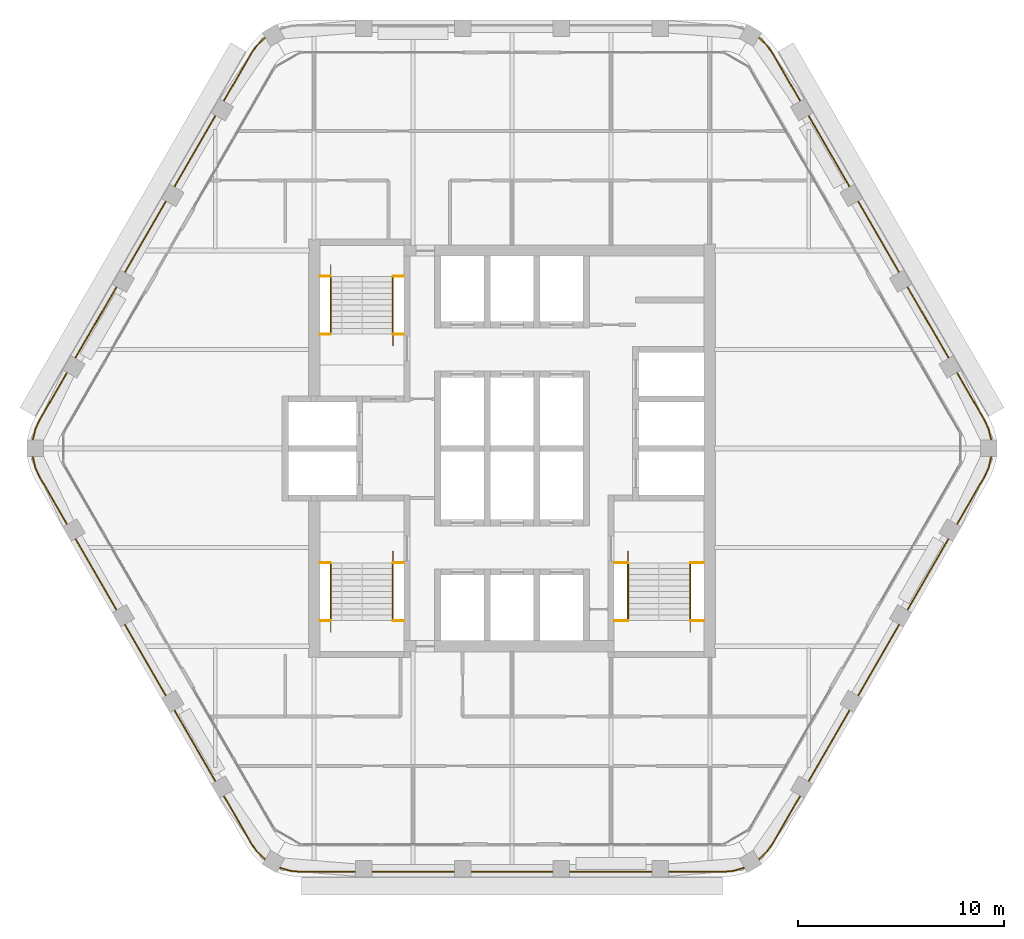
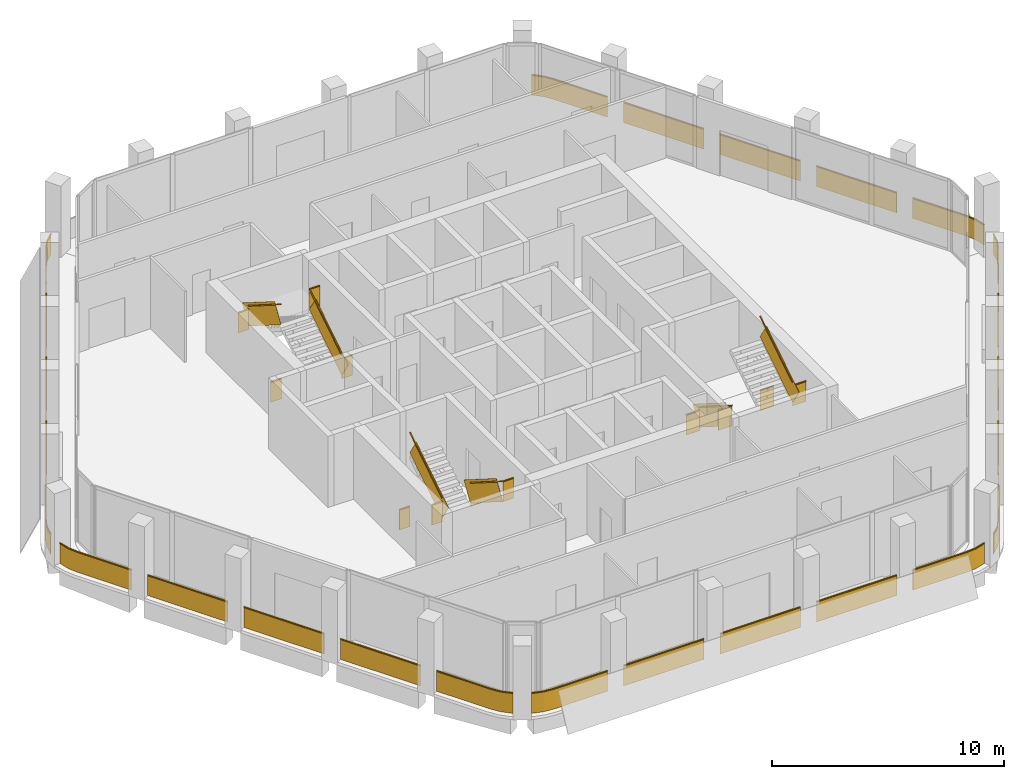
# One storey, part 12 of 13: 11 railings.
"""IFC4 building model written with IfcOpenShell, lengths in metres."""

from ifc_helpers import new_model, si_unit, direction, frame, frame_2d, origin, origin_2d, place, context, subcontext, project, spatial, rectangle, extrude, material, type_object, element, save


model = new_model("IFC4")

# Units and contexts
model_context = context("Model", 3, precision=1e-05, world=origin(), true_north=direction((0.0, 1.0)))
body_context = subcontext(model_context, "Body", "Model", "MODEL_VIEW")
ifc_project = project(units=[si_unit("LENGTHUNIT", "METRE"), si_unit("AREAUNIT", "SQUARE_METRE"), si_unit("VOLUMEUNIT", "CUBIC_METRE"), si_unit("PLANEANGLEUNIT", "RADIAN"), si_unit("MASSUNIT", "GRAM", prefix="KILO")], contexts=[model_context])

# Site, building, storey
site_placement = place(None, origin())
site = spatial("IfcSite", under=ifc_project, at=site_placement, CompositionType="ELEMENT")
building_placement = place(site_placement, origin())
building = spatial("IfcBuilding", under=site, at=building_placement, Name="Kolab Exchange Tower", CompositionType="ELEMENT")
storey_placement = place(building_placement, frame((0.0, 0.0, 289.10009765625)))
storey = spatial("IfcBuildingStorey", under=building, at=storey_placement, Name="L65", CompositionType="ELEMENT", Elevation=289.10009765625)

# Railings
ifc_material_1 = material(Name="Stainless steel 316", Category="steel")
railing_type_1 = type_object("IfcRailingType", Name="GUARD 1100", PredefinedType="GUARDRAIL", material=ifc_material_1)
railing_1_placement = place(storey_placement, frame((-9.324951171875, 5.550048828125, 0.0)))
element("IfcRailing", 1, at=railing_1_placement, inside=storey, type_object=railing_type_1, Name="Guard ST1", PredefinedType="GUARDRAIL", context=body_context, shape_type="SweptSolid", body=[
    extrude(rectangle(XDim=0.05, YDim=0.05, at=origin_2d()), frame((0.0, 0.0, 1.0751953125), z_axis=(1.0, 0.0, 0.0), x_axis=(0.0, 1.0, 0.0)), (0.0, 0.0, 1.0), 0.52734375),
    extrude(rectangle(XDim=0.012, YDim=1.05009765625, at=frame_2d((0.0, 0.525146484375))), frame((0.0, 0.0, 0.0), z_axis=(1.0, 0.0, 0.0), x_axis=(0.0, 1.0, 0.0)), (0.0, 0.0, 1.0), 0.52734375),
    extrude(rectangle(XDim=0.05, YDim=0.05, at=origin_2d()), frame((3.54736328125, 0.0, 1.0751953125), z_axis=(1.0, 0.0, 0.0), x_axis=(0.0, 1.0, 0.0)), (0.0, 0.0, 1.0), 0.527587890625),
    extrude(rectangle(XDim=0.012, YDim=1.05009765625, at=frame_2d((0.0, 0.525146484375))), frame((3.54736328125, 0.0, 0.0), z_axis=(1.0, 0.0, 0.0), x_axis=(0.0, 1.0, 0.0)), (0.0, 0.0, 1.0), 0.527587890625),
    extrude(rectangle(XDim=0.05, YDim=0.05, at=origin_2d()), frame((0.0, 2.800048828125, 3.025146484375), z_axis=(1.0, 0.0, 0.0), x_axis=(0.0, 1.0, 0.0)), (0.0, 0.0, 1.0), 0.52734375),
    extrude(rectangle(XDim=0.012, YDim=1.05009765625, at=frame_2d((0.0, 0.525146484375))), frame((0.0, 2.800048828125, 1.949951171875), z_axis=(1.0, 0.0, 0.0), x_axis=(0.0, 1.0, 0.0)), (0.0, 0.0, 1.0), 0.52734375),
    extrude(rectangle(XDim=0.05, YDim=0.05, at=origin_2d()), frame((3.54736328125, 2.800048828125, 3.025146484375), z_axis=(1.0, 0.0, 0.0), x_axis=(0.0, 1.0, 0.0)), (0.0, 0.0, 1.0), 0.527587890625),
    extrude(rectangle(XDim=0.012, YDim=1.05009765625, at=frame_2d((0.0, 0.525146484375))), frame((3.54736328125, 2.800048828125, 1.949951171875), z_axis=(1.0, 0.0, 0.0), x_axis=(0.0, 1.0, 0.0)), (0.0, 0.0, 1.0), 0.527587890625),
])
railing_2_placement = place(storey_placement, frame((-5.777587890625, 5.550048828125, 0.17724609375)))
element("IfcRailing", 2, at=railing_2_placement, inside=storey, type_object=railing_type_1, Name="Handrail guard ST1", PredefinedType="GUARDRAIL", context=body_context, shape_type="SweptSolid", body=[
    extrude(rectangle(XDim=0.05, YDim=0.05, at=origin_2d()), frame((0.0, 0.0, 1.0751953125), z_axis=(0.0, 0.844908973607, 0.534910110503), x_axis=(-1.0, 0.0, 0.0)), (0.0, 0.0, 1.0), 3.31396484375),
    extrude(rectangle(XDim=0.012, YDim=1.05009765625, at=frame_2d((0.0, 0.525146484375))), frame((0.0, 0.0, 0.0), z_axis=(0.0, 0.844908973607, 0.534910110503), x_axis=(-1.0, 0.0, 0.0)), (0.0, 0.0, 1.0), 3.31396484375),
    extrude(rectangle(XDim=0.05, YDim=0.05, at=origin_2d()), frame((-3.02001953125, 2.800048828125, 3.025146484375), z_axis=(0.0, -0.844908973607, 0.534910110503), x_axis=(1.0, 0.0, 0.0)), (0.0, 0.0, 1.0), 3.31396484375),
    extrude(rectangle(XDim=0.012, YDim=1.05009765625, at=frame_2d((0.0, 0.525146484375))), frame((-3.02001953125, 2.800048828125, 1.949951171875), z_axis=(0.0, -0.844908973607, 0.534910110503), x_axis=(1.0, 0.0, 0.0)), (0.0, 0.0, 1.0), 3.31396484375),
])
railing_3_placement = place(storey_placement, frame((-9.324951171875, -5.550048828125, 0.0)))
element("IfcRailing", 3, at=railing_3_placement, inside=storey, type_object=railing_type_1, Name="Guard ST3", PredefinedType="GUARDRAIL", context=body_context, shape_type="SweptSolid", body=[
    extrude(rectangle(XDim=0.05, YDim=0.05, at=origin_2d()), frame((0.0, 0.0, 1.0751953125), z_axis=(1.0, 0.0, 0.0), x_axis=(0.0, 1.0, 0.0)), (0.0, 0.0, 1.0), 0.52734375),
    extrude(rectangle(XDim=0.012, YDim=1.05009765625, at=frame_2d((0.0, 0.525146484375))), frame((0.0, 0.0, 0.0), z_axis=(1.0, 0.0, 0.0), x_axis=(0.0, 1.0, 0.0)), (0.0, 0.0, 1.0), 0.52734375),
    extrude(rectangle(XDim=0.05, YDim=0.05, at=origin_2d()), frame((3.54736328125, 0.0, 1.0751953125), z_axis=(1.0, 0.0, 0.0), x_axis=(0.0, 1.0, 0.0)), (0.0, 0.0, 1.0), 0.527587890625),
    extrude(rectangle(XDim=0.012, YDim=1.05009765625, at=frame_2d((0.0, 0.525146484375))), frame((3.54736328125, 0.0, 0.0), z_axis=(1.0, 0.0, 0.0), x_axis=(0.0, 1.0, 0.0)), (0.0, 0.0, 1.0), 0.527587890625),
    extrude(rectangle(XDim=0.05, YDim=0.05, at=origin_2d()), frame((0.0, -2.800048828125, 3.025146484375), z_axis=(1.0, 0.0, 0.0), x_axis=(0.0, 1.0, 0.0)), (0.0, 0.0, 1.0), 0.52734375),
    extrude(rectangle(XDim=0.012, YDim=1.05009765625, at=frame_2d((0.0, 0.525146484375))), frame((0.0, -2.800048828125, 1.949951171875), z_axis=(1.0, 0.0, 0.0), x_axis=(0.0, 1.0, 0.0)), (0.0, 0.0, 1.0), 0.52734375),
    extrude(rectangle(XDim=0.05, YDim=0.05, at=origin_2d()), frame((3.54736328125, -2.800048828125, 3.025146484375), z_axis=(1.0, 0.0, 0.0), x_axis=(0.0, 1.0, 0.0)), (0.0, 0.0, 1.0), 0.527587890625),
    extrude(rectangle(XDim=0.012, YDim=1.05009765625, at=frame_2d((0.0, 0.525146484375))), frame((3.54736328125, -2.800048828125, 1.949951171875), z_axis=(1.0, 0.0, 0.0), x_axis=(0.0, 1.0, 0.0)), (0.0, 0.0, 1.0), 0.527587890625),
])
railing_4_placement = place(storey_placement, frame((-5.777587890625, -5.550048828125, 0.17724609375)))
element("IfcRailing", 4, at=railing_4_placement, inside=storey, type_object=railing_type_1, Name="Handrail guard ST3", PredefinedType="GUARDRAIL", context=body_context, shape_type="SweptSolid", body=[
    extrude(rectangle(XDim=0.05, YDim=0.05, at=origin_2d()), frame((0.0, 0.0, 1.0751953125), z_axis=(0.0, -0.844908973607, 0.534910110503), x_axis=(1.0, 0.0, 0.0)), (0.0, 0.0, 1.0), 3.31396484375),
    extrude(rectangle(XDim=0.012, YDim=1.05009765625, at=frame_2d((0.0, 0.525146484375))), frame((0.0, 0.0, 0.0), z_axis=(0.0, -0.844908973607, 0.534910110503), x_axis=(1.0, 0.0, 0.0)), (0.0, 0.0, 1.0), 3.31396484375),
    extrude(rectangle(XDim=0.05, YDim=0.05, at=origin_2d()), frame((-3.02001953125, -2.800048828125, 3.025146484375), z_axis=(0.0, 0.844908973607, 0.534910110503), x_axis=(-1.0, 0.0, 0.0)), (0.0, 0.0, 1.0), 3.31396484375),
    extrude(rectangle(XDim=0.012, YDim=1.05009765625, at=frame_2d((0.0, 0.525146484375))), frame((-3.02001953125, -2.800048828125, 1.949951171875), z_axis=(0.0, 0.844908973607, 0.534910110503), x_axis=(-1.0, 0.0, 0.0)), (0.0, 0.0, 1.0), 3.31396484375),
])
railing_5_placement = place(storey_placement, frame((4.949951171875, -5.550048828125, 0.0)))
element("IfcRailing", 5, at=railing_5_placement, inside=storey, type_object=railing_type_1, Name="Guard ST2", PredefinedType="GUARDRAIL", context=body_context, shape_type="SweptSolid", body=[
    extrude(rectangle(XDim=0.05, YDim=0.05, at=origin_2d()), frame((0.0, 0.0, 1.0751953125), z_axis=(1.0, 0.0, 0.0), x_axis=(0.0, 1.0, 0.0)), (0.0, 0.0, 1.0), 0.677490234375),
    extrude(rectangle(XDim=0.012, YDim=1.05009765625, at=frame_2d((0.0, 0.525146484375))), frame((0.0, 0.0, 0.0), z_axis=(1.0, 0.0, 0.0), x_axis=(0.0, 1.0, 0.0)), (0.0, 0.0, 1.0), 0.677490234375),
    extrude(rectangle(XDim=0.05, YDim=0.05, at=origin_2d()), frame((3.697509765625, 0.0, 1.0751953125), z_axis=(1.0, 0.0, 0.0), x_axis=(0.0, 1.0, 0.0)), (0.0, 0.0, 1.0), 0.677490234375),
    extrude(rectangle(XDim=0.012, YDim=1.05009765625, at=frame_2d((0.0, 0.525146484375))), frame((3.697509765625, 0.0, 0.0), z_axis=(1.0, 0.0, 0.0), x_axis=(0.0, 1.0, 0.0)), (0.0, 0.0, 1.0), 0.677490234375),
    extrude(rectangle(XDim=0.05, YDim=0.05, at=origin_2d()), frame((0.0, -2.800048828125, 3.025146484375), z_axis=(1.0, 0.0, 0.0), x_axis=(0.0, 1.0, 0.0)), (0.0, 0.0, 1.0), 0.677490234375),
    extrude(rectangle(XDim=0.012, YDim=1.05009765625, at=frame_2d((0.0, 0.525146484375))), frame((0.0, -2.800048828125, 1.949951171875), z_axis=(1.0, 0.0, 0.0), x_axis=(0.0, 1.0, 0.0)), (0.0, 0.0, 1.0), 0.677490234375),
    extrude(rectangle(XDim=0.05, YDim=0.05, at=origin_2d()), frame((3.697509765625, -2.800048828125, 3.025146484375), z_axis=(1.0, 0.0, 0.0), x_axis=(0.0, 1.0, 0.0)), (0.0, 0.0, 1.0), 0.677490234375),
    extrude(rectangle(XDim=0.012, YDim=1.05009765625, at=frame_2d((0.0, 0.525146484375))), frame((3.697509765625, -2.800048828125, 1.949951171875), z_axis=(1.0, 0.0, 0.0), x_axis=(0.0, 1.0, 0.0)), (0.0, 0.0, 1.0), 0.677490234375),
])
railing_6_placement = place(storey_placement, frame((5.62744140625, -5.550048828125, 0.17724609375)))
element("IfcRailing", 6, at=railing_6_placement, inside=storey, type_object=railing_type_1, Name="Handrail guard ST2", PredefinedType="GUARDRAIL", context=body_context, shape_type="SweptSolid", body=[
    extrude(rectangle(XDim=0.05, YDim=0.05, at=origin_2d()), frame((0.0, 0.0, 1.0751953125), z_axis=(0.0, -0.844908973607, 0.534910110503), x_axis=(1.0, 0.0, 0.0)), (0.0, 0.0, 1.0), 3.31396484375),
    extrude(rectangle(XDim=0.012, YDim=1.05009765625, at=frame_2d((0.0, 0.525146484375))), frame((0.0, 0.0, 0.0), z_axis=(0.0, -0.844908973607, 0.534910110503), x_axis=(1.0, 0.0, 0.0)), (0.0, 0.0, 1.0), 3.31396484375),
    extrude(rectangle(XDim=0.05, YDim=0.05, at=origin_2d()), frame((3.02001953125, -2.800048828125, 3.025146484375), z_axis=(0.0, 0.844908973607, 0.534910110503), x_axis=(-1.0, 0.0, 0.0)), (0.0, 0.0, 1.0), 3.31396484375),
    extrude(rectangle(XDim=0.012, YDim=1.05009765625, at=frame_2d((0.0, 0.525146484375))), frame((3.02001953125, -2.800048828125, 1.949951171875), z_axis=(0.0, 0.844908973607, 0.534910110503), x_axis=(-1.0, 0.0, 0.0)), (0.0, 0.0, 1.0), 3.31396484375),
])
ifc_material_2 = material(Name="Steel S235", Category="steel")
railing_type_2 = type_object("IfcRailingType", Name="GUARD 1100 GLASS BALUSTRADE AND STEEL TOP RAIL", PredefinedType="GUARDRAIL", material=ifc_material_2)
railing_7_placement = place(storey_placement, frame((23.2509765625, 0.3984375, 0.0)))
element("IfcRailing", 7, at=railing_7_placement, inside=storey, type_object=railing_type_2, Name="Guard", PredefinedType="GUARDRAIL", context=body_context, shape_type="SweptSolid", body=[
    extrude(rectangle(XDim=0.05, YDim=0.05, at=origin_2d()), frame((0.0, 0.0, 1.0751953125), z_axis=(-0.234597748196, 0.972092534968, 0.0), x_axis=(-0.972092534968, -0.234597748196, 0.0)), (0.0, 0.0, 1.0), 0.557861328125),
    extrude(rectangle(XDim=0.012, YDim=1.05009765625, at=frame_2d((0.0, 0.525146484375))), frame((0.0, 0.0, 0.0), z_axis=(-0.234597748196, 0.972092534968, 0.0), x_axis=(-0.972092534968, -0.234597748196, 0.0)), (0.0, 0.0, 1.0), 0.557861328125),
    extrude(rectangle(XDim=0.05, YDim=0.05, at=origin_2d()), frame((-0.130859375, 0.542236328125, 1.0751953125), z_axis=(-0.422801802984, 0.906222177721, 0.0), x_axis=(-0.906222177721, -0.422801802984, 0.0)), (0.0, 0.0, 1.0), 0.479248046875),
    extrude(rectangle(XDim=0.012, YDim=1.05009765625, at=frame_2d((0.0, 0.525146484375))), frame((-0.130859375, 0.542236328125, 0.0), z_axis=(-0.422801802984, 0.906222177721, 0.0), x_axis=(-0.906222177721, -0.422801802984, 0.0)), (0.0, 0.0, 1.0), 0.479248046875),
    extrude(rectangle(XDim=0.05, YDim=0.05, at=origin_2d()), frame((-0.33349609375, 0.9765625, 1.0751953125), z_axis=(-0.499997052475, 0.866027105532, 0.0), x_axis=(-0.866027105532, -0.499997052475, 0.0)), (0.0, 0.0, 1.0), 2.66796875),
    extrude(rectangle(XDim=0.012, YDim=1.05009765625, at=frame_2d((0.0, 0.525146484375))), frame((-0.33349609375, 0.9765625, 0.0), z_axis=(-0.499997052475, 0.866027105532, 0.0), x_axis=(-0.866027105532, -0.499997052475, 0.0)), (0.0, 0.0, 1.0), 2.66796875),
    extrude(rectangle(XDim=0.05, YDim=0.05, at=origin_2d()), frame((-2.0673828125, 3.97998046875, 1.0751953125), z_axis=(-0.49999894854, 0.866026010844, 0.0), x_axis=(-0.866026010844, -0.49999894854, 0.0)), (0.0, 0.0, 1.0), 4.0),
    extrude(rectangle(XDim=0.012, YDim=1.05009765625, at=frame_2d((0.0, 0.525146484375))), frame((-2.0673828125, 3.97998046875, 0.0), z_axis=(-0.49999894854, 0.866026010844, 0.0), x_axis=(-0.866026010844, -0.49999894854, 0.0)), (0.0, 0.0, 1.0), 4.0),
    extrude(rectangle(XDim=0.05, YDim=0.05, at=origin_2d()), frame((-4.467529296875, 8.13671875, 1.0751953125), z_axis=(-0.49999894854, 0.866026010844, 0.0), x_axis=(-0.866026010844, -0.49999894854, 0.0)), (0.0, 0.0, 1.0), 4.0),
    extrude(rectangle(XDim=0.012, YDim=1.05009765625, at=frame_2d((0.0, 0.525146484375))), frame((-4.467529296875, 8.13671875, 0.0), z_axis=(-0.49999894854, 0.866026010844, 0.0), x_axis=(-0.866026010844, -0.49999894854, 0.0)), (0.0, 0.0, 1.0), 4.0),
    extrude(rectangle(XDim=0.05, YDim=0.05, at=origin_2d()), frame((-6.867431640625, 12.293701171875, 1.0751953125), z_axis=(-0.49999894854, 0.866026010844, 0.0), x_axis=(-0.866026010844, -0.49999894854, 0.0)), (0.0, 0.0, 1.0), 4.0),
    extrude(rectangle(XDim=0.012, YDim=1.05009765625, at=frame_2d((0.0, 0.525146484375))), frame((-6.867431640625, 12.293701171875, 0.0), z_axis=(-0.49999894854, 0.866026010844, 0.0), x_axis=(-0.866026010844, -0.49999894854, 0.0)), (0.0, 0.0, 1.0), 4.0),
    extrude(rectangle(XDim=0.05, YDim=0.05, at=origin_2d()), frame((-9.267578125, 16.45068359375, 1.0751953125), z_axis=(-0.499997052475, 0.866027105532, 0.0), x_axis=(-0.866027105532, -0.499997052475, 0.0)), (0.0, 0.0, 1.0), 2.66796875),
    extrude(rectangle(XDim=0.012, YDim=1.05009765625, at=frame_2d((0.0, 0.525146484375))), frame((-9.267578125, 16.45068359375, 0.0), z_axis=(-0.499997052475, 0.866027105532, 0.0), x_axis=(-0.866027105532, -0.499997052475, 0.0)), (0.0, 0.0, 1.0), 2.66796875),
    extrude(rectangle(XDim=0.05, YDim=0.05, at=origin_2d()), frame((-10.6015625, 18.76123046875, 1.0751953125), z_axis=(-0.573599091554, 0.819136180478, 0.0), x_axis=(-0.819136180478, -0.573599091554, 0.0)), (0.0, 0.0, 1.0), 0.479248046875),
    extrude(rectangle(XDim=0.012, YDim=1.05009765625, at=frame_2d((0.0, 0.525146484375))), frame((-10.6015625, 18.76123046875, 0.0), z_axis=(-0.573599091554, 0.819136180478, 0.0), x_axis=(-0.819136180478, -0.573599091554, 0.0)), (0.0, 0.0, 1.0), 0.479248046875),
    extrude(rectangle(XDim=0.05, YDim=0.05, at=origin_2d()), frame((-10.87646484375, 19.15380859375, 1.0751953125), z_axis=(-0.724189990991, 0.689600505327, 0.0), x_axis=(-0.689600505327, -0.724189990991, 0.0)), (0.0, 0.0, 1.0), 0.5576171875),
    extrude(rectangle(XDim=0.012, YDim=1.05009765625, at=frame_2d((0.0, 0.525146484375))), frame((-10.87646484375, 19.15380859375, 0.0), z_axis=(-0.724189990991, 0.689600505327, 0.0), x_axis=(-0.689600505327, -0.724189990991, 0.0)), (0.0, 0.0, 1.0), 0.5576171875),
])
railing_8_placement = place(storey_placement, frame((11.970703125, -19.936767578125, 0.0)))
element("IfcRailing", 8, at=railing_8_placement, inside=storey, type_object=railing_type_2, Name="Guard", PredefinedType="GUARDRAIL", context=body_context, shape_type="SweptSolid", body=[
    extrude(rectangle(XDim=0.05, YDim=0.05, at=origin_2d()), frame((0.0, 0.0, 1.0751953125), z_axis=(0.724189990991, 0.689600505327, 0.0), x_axis=(-0.689600505327, 0.724189990991, 0.0)), (0.0, 0.0, 1.0), 0.5576171875),
    extrude(rectangle(XDim=0.012, YDim=1.05009765625, at=frame_2d((0.0, 0.525146484375))), frame((0.0, 0.0, 0.0), z_axis=(0.724189990991, 0.689600505327, 0.0), x_axis=(-0.689600505327, 0.724189990991, 0.0)), (0.0, 0.0, 1.0), 0.5576171875),
    extrude(rectangle(XDim=0.05, YDim=0.05, at=origin_2d()), frame((0.40380859375, 0.384521484375, 1.0751953125), z_axis=(0.573599091554, 0.819136180478, 0.0), x_axis=(-0.819136180478, 0.573599091554, 0.0)), (0.0, 0.0, 1.0), 0.479248046875),
    extrude(rectangle(XDim=0.012, YDim=1.05009765625, at=frame_2d((0.0, 0.525146484375))), frame((0.40380859375, 0.384521484375, 0.0), z_axis=(0.573599091554, 0.819136180478, 0.0), x_axis=(-0.819136180478, 0.573599091554, 0.0)), (0.0, 0.0, 1.0), 0.479248046875),
    extrude(rectangle(XDim=0.05, YDim=0.05, at=origin_2d()), frame((0.6787109375, 0.777099609375, 1.0751953125), z_axis=(0.499997052475, 0.866027105532, 0.0), x_axis=(-0.866027105532, 0.499997052475, 0.0)), (0.0, 0.0, 1.0), 2.66796875),
    extrude(rectangle(XDim=0.012, YDim=1.05009765625, at=frame_2d((0.0, 0.525146484375))), frame((0.6787109375, 0.777099609375, 0.0), z_axis=(0.499997052475, 0.866027105532, 0.0), x_axis=(-0.866027105532, 0.499997052475, 0.0)), (0.0, 0.0, 1.0), 2.66796875),
    extrude(rectangle(XDim=0.05, YDim=0.05, at=origin_2d()), frame((2.412841796875, 3.780517578125, 1.0751953125), z_axis=(0.49999894854, 0.866026010844, 0.0), x_axis=(-0.866026010844, 0.49999894854, 0.0)), (0.0, 0.0, 1.0), 4.0),
    extrude(rectangle(XDim=0.012, YDim=1.05009765625, at=frame_2d((0.0, 0.525146484375))), frame((2.412841796875, 3.780517578125, 0.0), z_axis=(0.49999894854, 0.866026010844, 0.0), x_axis=(-0.866026010844, 0.49999894854, 0.0)), (0.0, 0.0, 1.0), 4.0),
    extrude(rectangle(XDim=0.05, YDim=0.05, at=origin_2d()), frame((4.812744140625, 7.9375, 1.0751953125), z_axis=(0.49999894854, 0.866026010844, 0.0), x_axis=(-0.866026010844, 0.49999894854, 0.0)), (0.0, 0.0, 1.0), 4.0),
    extrude(rectangle(XDim=0.012, YDim=1.05009765625, at=frame_2d((0.0, 0.525146484375))), frame((4.812744140625, 7.9375, 0.0), z_axis=(0.49999894854, 0.866026010844, 0.0), x_axis=(-0.866026010844, 0.49999894854, 0.0)), (0.0, 0.0, 1.0), 4.0),
    extrude(rectangle(XDim=0.05, YDim=0.05, at=origin_2d()), frame((7.212890625, 12.09423828125, 1.0751953125), z_axis=(0.49999894854, 0.866026010844, 0.0), x_axis=(-0.866026010844, 0.49999894854, 0.0)), (0.0, 0.0, 1.0), 4.0),
    extrude(rectangle(XDim=0.012, YDim=1.05009765625, at=frame_2d((0.0, 0.525146484375))), frame((7.212890625, 12.09423828125, 0.0), z_axis=(0.49999894854, 0.866026010844, 0.0), x_axis=(-0.866026010844, 0.49999894854, 0.0)), (0.0, 0.0, 1.0), 4.0),
    extrude(rectangle(XDim=0.05, YDim=0.05, at=origin_2d()), frame((9.61279296875, 16.251220703125, 1.0751953125), z_axis=(0.499997052475, 0.866027105532, 0.0), x_axis=(-0.866027105532, 0.499997052475, 0.0)), (0.0, 0.0, 1.0), 2.66796875),
    extrude(rectangle(XDim=0.012, YDim=1.05009765625, at=frame_2d((0.0, 0.525146484375))), frame((9.61279296875, 16.251220703125, 0.0), z_axis=(0.499997052475, 0.866027105532, 0.0), x_axis=(-0.866027105532, 0.499997052475, 0.0)), (0.0, 0.0, 1.0), 2.66796875),
    extrude(rectangle(XDim=0.05, YDim=0.05, at=origin_2d()), frame((10.94677734375, 18.561767578125, 1.0751953125), z_axis=(0.422801802984, 0.906222177721, 0.0), x_axis=(-0.906222177721, 0.422801802984, 0.0)), (0.0, 0.0, 1.0), 0.479248046875),
    extrude(rectangle(XDim=0.012, YDim=1.05009765625, at=frame_2d((0.0, 0.525146484375))), frame((10.94677734375, 18.561767578125, 0.0), z_axis=(0.422801802984, 0.906222177721, 0.0), x_axis=(-0.906222177721, 0.422801802984, 0.0)), (0.0, 0.0, 1.0), 0.479248046875),
    extrude(rectangle(XDim=0.05, YDim=0.05, at=origin_2d()), frame((11.1494140625, 18.99609375, 1.0751953125), z_axis=(0.234597748196, 0.972092534968, 0.0), x_axis=(-0.972092534968, 0.234597748196, 0.0)), (0.0, 0.0, 1.0), 0.557861328125),
    extrude(rectangle(XDim=0.012, YDim=1.05009765625, at=frame_2d((0.0, 0.525146484375))), frame((11.1494140625, 18.99609375, 0.0), z_axis=(0.234597748196, 0.972092534968, 0.0), x_axis=(-0.972092534968, 0.234597748196, 0.0)), (0.0, 0.0, 1.0), 0.557861328125),
])
railing_9_placement = place(storey_placement, frame((-11.280517578125, -20.335205078125, 0.0)))
element("IfcRailing", 9, at=railing_9_placement, inside=storey, type_object=railing_type_2, Name="Guard", PredefinedType="GUARDRAIL", context=body_context, shape_type="SweptSolid", body=[
    extrude(rectangle(XDim=0.05, YDim=0.05, at=origin_2d()), frame((0.0, 0.0, 1.0751953125), z_axis=(0.959212061764, -0.282687496304, 0.0), x_axis=(0.282687496304, 0.959212061764, 0.0)), (0.0, 0.0, 1.0), 0.557861328125),
    extrude(rectangle(XDim=0.012, YDim=1.05009765625, at=frame_2d((0.0, 0.525146484375))), frame((0.0, 0.0, 0.0), z_axis=(0.959212061764, -0.282687496304, 0.0), x_axis=(0.282687496304, 0.959212061764, 0.0)), (0.0, 0.0, 1.0), 0.557861328125),
    extrude(rectangle(XDim=0.05, YDim=0.05, at=origin_2d()), frame((0.53515625, -0.15771484375, 1.0751953125), z_axis=(0.996196482496, -0.087135344505, 0.0), x_axis=(0.087135344505, 0.996196482496, 0.0)), (0.0, 0.0, 1.0), 0.47900390625),
    extrude(rectangle(XDim=0.012, YDim=1.05009765625, at=frame_2d((0.0, 0.525146484375))), frame((0.53515625, -0.15771484375, 0.0), z_axis=(0.996196482496, -0.087135344505, 0.0), x_axis=(0.087135344505, 0.996196482496, 0.0)), (0.0, 0.0, 1.0), 0.47900390625),
    extrude(rectangle(XDim=0.05, YDim=0.05, at=origin_2d()), frame((1.012451171875, -0.199462890625, 1.0751953125), z_axis=(1.0, 0.0, 0.0), x_axis=(0.0, 1.0, 0.0)), (0.0, 0.0, 1.0), 2.66796875),
    extrude(rectangle(XDim=0.012, YDim=1.05009765625, at=frame_2d((0.0, 0.525146484375))), frame((1.012451171875, -0.199462890625, 0.0), z_axis=(1.0, 0.0, 0.0), x_axis=(0.0, 1.0, 0.0)), (0.0, 0.0, 1.0), 2.66796875),
    extrude(rectangle(XDim=0.05, YDim=0.05, at=origin_2d()), frame((4.48046875, -0.199462890625, 1.0751953125), z_axis=(1.0, 0.0, 0.0), x_axis=(0.0, 1.0, 0.0)), (0.0, 0.0, 1.0), 4.0),
    extrude(rectangle(XDim=0.012, YDim=1.05009765625, at=frame_2d((0.0, 0.525146484375))), frame((4.48046875, -0.199462890625, 0.0), z_axis=(1.0, 0.0, 0.0), x_axis=(0.0, 1.0, 0.0)), (0.0, 0.0, 1.0), 4.0),
    extrude(rectangle(XDim=0.05, YDim=0.05, at=origin_2d()), frame((9.280517578125, -0.199462890625, 1.0751953125), z_axis=(1.0, 0.0, 0.0), x_axis=(0.0, 1.0, 0.0)), (0.0, 0.0, 1.0), 4.0),
    extrude(rectangle(XDim=0.012, YDim=1.05009765625, at=frame_2d((0.0, 0.525146484375))), frame((9.280517578125, -0.199462890625, 0.0), z_axis=(1.0, 0.0, 0.0), x_axis=(0.0, 1.0, 0.0)), (0.0, 0.0, 1.0), 4.0),
    extrude(rectangle(XDim=0.05, YDim=0.05, at=origin_2d()), frame((14.08056640625, -0.199462890625, 1.0751953125), z_axis=(1.0, 0.0, 0.0), x_axis=(0.0, 1.0, 0.0)), (0.0, 0.0, 1.0), 4.0),
    extrude(rectangle(XDim=0.012, YDim=1.05009765625, at=frame_2d((0.0, 0.525146484375))), frame((14.08056640625, -0.199462890625, 0.0), z_axis=(1.0, 0.0, 0.0), x_axis=(0.0, 1.0, 0.0)), (0.0, 0.0, 1.0), 4.0),
    extrude(rectangle(XDim=0.05, YDim=0.05, at=origin_2d()), frame((18.880615234375, -0.199462890625, 1.0751953125), z_axis=(1.0, 0.0, 0.0), x_axis=(0.0, 1.0, 0.0)), (0.0, 0.0, 1.0), 2.66796875),
    extrude(rectangle(XDim=0.012, YDim=1.05009765625, at=frame_2d((0.0, 0.525146484375))), frame((18.880615234375, -0.199462890625, 0.0), z_axis=(1.0, 0.0, 0.0), x_axis=(0.0, 1.0, 0.0)), (0.0, 0.0, 1.0), 2.66796875),
    extrude(rectangle(XDim=0.05, YDim=0.05, at=origin_2d()), frame((21.548583984375, -0.199462890625, 1.0751953125), z_axis=(0.996196482496, 0.087135344505, 0.0), x_axis=(-0.087135344505, 0.996196482496, 0.0)), (0.0, 0.0, 1.0), 0.47900390625),
    extrude(rectangle(XDim=0.012, YDim=1.05009765625, at=frame_2d((0.0, 0.525146484375))), frame((21.548583984375, -0.199462890625, 0.0), z_axis=(0.996196482496, 0.087135344505, 0.0), x_axis=(-0.087135344505, 0.996196482496, 0.0)), (0.0, 0.0, 1.0), 0.47900390625),
    extrude(rectangle(XDim=0.05, YDim=0.05, at=origin_2d()), frame((22.02587890625, -0.15771484375, 1.0751953125), z_axis=(0.959212061764, 0.282687496304, 0.0), x_axis=(-0.282687496304, 0.959212061764, 0.0)), (0.0, 0.0, 1.0), 0.557861328125),
    extrude(rectangle(XDim=0.012, YDim=1.05009765625, at=frame_2d((0.0, 0.525146484375))), frame((22.02587890625, -0.15771484375, 0.0), z_axis=(0.959212061764, 0.282687496304, 0.0), x_axis=(-0.282687496304, 0.959212061764, 0.0)), (0.0, 0.0, 1.0), 0.557861328125),
])
railing_10_placement = place(storey_placement, frame((-23.2509765625, -0.3984375, 0.0)))
element("IfcRailing", 10, at=railing_10_placement, inside=storey, type_object=railing_type_2, Name="Guard", PredefinedType="GUARDRAIL", context=body_context, shape_type="SweptSolid", body=[
    extrude(rectangle(XDim=0.05, YDim=0.05, at=origin_2d()), frame((0.0, 0.0, 1.0751953125), z_axis=(0.234597748196, -0.972092534968, 0.0), x_axis=(0.972092534968, 0.234597748196, 0.0)), (0.0, 0.0, 1.0), 0.557861328125),
    extrude(rectangle(XDim=0.012, YDim=1.05009765625, at=frame_2d((0.0, 0.525146484375))), frame((0.0, 0.0, 0.0), z_axis=(0.234597748196, -0.972092534968, 0.0), x_axis=(0.972092534968, 0.234597748196, 0.0)), (0.0, 0.0, 1.0), 0.557861328125),
    extrude(rectangle(XDim=0.05, YDim=0.05, at=origin_2d()), frame((0.130859375, -0.542236328125, 1.0751953125), z_axis=(0.422801802984, -0.906222177721, 0.0), x_axis=(0.906222177721, 0.422801802984, 0.0)), (0.0, 0.0, 1.0), 0.479248046875),
    extrude(rectangle(XDim=0.012, YDim=1.05009765625, at=frame_2d((0.0, 0.525146484375))), frame((0.130859375, -0.542236328125, 0.0), z_axis=(0.422801802984, -0.906222177721, 0.0), x_axis=(0.906222177721, 0.422801802984, 0.0)), (0.0, 0.0, 1.0), 0.479248046875),
    extrude(rectangle(XDim=0.05, YDim=0.05, at=origin_2d()), frame((0.33349609375, -0.9765625, 1.0751953125), z_axis=(0.499997052475, -0.866027105532, 0.0), x_axis=(0.866027105532, 0.499997052475, 0.0)), (0.0, 0.0, 1.0), 2.66796875),
    extrude(rectangle(XDim=0.012, YDim=1.05009765625, at=frame_2d((0.0, 0.525146484375))), frame((0.33349609375, -0.9765625, 0.0), z_axis=(0.499997052475, -0.866027105532, 0.0), x_axis=(0.866027105532, 0.499997052475, 0.0)), (0.0, 0.0, 1.0), 2.66796875),
    extrude(rectangle(XDim=0.05, YDim=0.05, at=origin_2d()), frame((2.0673828125, -3.97998046875, 1.0751953125), z_axis=(0.49999894854, -0.866026010844, 0.0), x_axis=(0.866026010844, 0.49999894854, 0.0)), (0.0, 0.0, 1.0), 4.0),
    extrude(rectangle(XDim=0.012, YDim=1.05009765625, at=frame_2d((0.0, 0.525146484375))), frame((2.0673828125, -3.97998046875, 0.0), z_axis=(0.49999894854, -0.866026010844, 0.0), x_axis=(0.866026010844, 0.49999894854, 0.0)), (0.0, 0.0, 1.0), 4.0),
    extrude(rectangle(XDim=0.05, YDim=0.05, at=origin_2d()), frame((4.467529296875, -8.13671875, 1.0751953125), z_axis=(0.49999894854, -0.866026010844, 0.0), x_axis=(0.866026010844, 0.49999894854, 0.0)), (0.0, 0.0, 1.0), 4.0),
    extrude(rectangle(XDim=0.012, YDim=1.05009765625, at=frame_2d((0.0, 0.525146484375))), frame((4.467529296875, -8.13671875, 0.0), z_axis=(0.49999894854, -0.866026010844, 0.0), x_axis=(0.866026010844, 0.49999894854, 0.0)), (0.0, 0.0, 1.0), 4.0),
    extrude(rectangle(XDim=0.05, YDim=0.05, at=origin_2d()), frame((6.867431640625, -12.293701171875, 1.0751953125), z_axis=(0.49999894854, -0.866026010844, 0.0), x_axis=(0.866026010844, 0.49999894854, 0.0)), (0.0, 0.0, 1.0), 4.0),
    extrude(rectangle(XDim=0.012, YDim=1.05009765625, at=frame_2d((0.0, 0.525146484375))), frame((6.867431640625, -12.293701171875, 0.0), z_axis=(0.49999894854, -0.866026010844, 0.0), x_axis=(0.866026010844, 0.49999894854, 0.0)), (0.0, 0.0, 1.0), 4.0),
    extrude(rectangle(XDim=0.05, YDim=0.05, at=origin_2d()), frame((9.267578125, -16.45068359375, 1.0751953125), z_axis=(0.499997052475, -0.866027105532, 0.0), x_axis=(0.866027105532, 0.499997052475, 0.0)), (0.0, 0.0, 1.0), 2.66796875),
    extrude(rectangle(XDim=0.012, YDim=1.05009765625, at=frame_2d((0.0, 0.525146484375))), frame((9.267578125, -16.45068359375, 0.0), z_axis=(0.499997052475, -0.866027105532, 0.0), x_axis=(0.866027105532, 0.499997052475, 0.0)), (0.0, 0.0, 1.0), 2.66796875),
    extrude(rectangle(XDim=0.05, YDim=0.05, at=origin_2d()), frame((10.6015625, -18.76123046875, 1.0751953125), z_axis=(0.573599091554, -0.819136180478, 0.0), x_axis=(0.819136180478, 0.573599091554, 0.0)), (0.0, 0.0, 1.0), 0.479248046875),
    extrude(rectangle(XDim=0.012, YDim=1.05009765625, at=frame_2d((0.0, 0.525146484375))), frame((10.6015625, -18.76123046875, 0.0), z_axis=(0.573599091554, -0.819136180478, 0.0), x_axis=(0.819136180478, 0.573599091554, 0.0)), (0.0, 0.0, 1.0), 0.479248046875),
    extrude(rectangle(XDim=0.05, YDim=0.05, at=origin_2d()), frame((10.87646484375, -19.15380859375, 1.0751953125), z_axis=(0.724189990991, -0.689600505327, 0.0), x_axis=(0.689600505327, 0.724189990991, 0.0)), (0.0, 0.0, 1.0), 0.5576171875),
    extrude(rectangle(XDim=0.012, YDim=1.05009765625, at=frame_2d((0.0, 0.525146484375))), frame((10.87646484375, -19.15380859375, 0.0), z_axis=(0.724189990991, -0.689600505327, 0.0), x_axis=(0.689600505327, 0.724189990991, 0.0)), (0.0, 0.0, 1.0), 0.5576171875),
])
railing_11_placement = place(storey_placement, frame((-11.970703125, 19.936767578125, 0.0)))
element("IfcRailing", 11, at=railing_11_placement, inside=storey, type_object=railing_type_2, Name="Guard", PredefinedType="GUARDRAIL", context=body_context, shape_type="SweptSolid", body=[
    extrude(rectangle(XDim=0.05, YDim=0.05, at=origin_2d()), frame((0.0, 0.0, 1.0751953125), z_axis=(-0.724189990991, -0.689600505327, 0.0), x_axis=(0.689600505327, -0.724189990991, 0.0)), (0.0, 0.0, 1.0), 0.5576171875),
    extrude(rectangle(XDim=0.012, YDim=1.05009765625, at=frame_2d((0.0, 0.525146484375))), frame((0.0, 0.0, 0.0), z_axis=(-0.724189990991, -0.689600505327, 0.0), x_axis=(0.689600505327, -0.724189990991, 0.0)), (0.0, 0.0, 1.0), 0.5576171875),
    extrude(rectangle(XDim=0.05, YDim=0.05, at=origin_2d()), frame((-0.40380859375, -0.384521484375, 1.0751953125), z_axis=(-0.573599091554, -0.819136180478, 0.0), x_axis=(0.819136180478, -0.573599091554, 0.0)), (0.0, 0.0, 1.0), 0.479248046875),
    extrude(rectangle(XDim=0.012, YDim=1.05009765625, at=frame_2d((0.0, 0.525146484375))), frame((-0.40380859375, -0.384521484375, 0.0), z_axis=(-0.573599091554, -0.819136180478, 0.0), x_axis=(0.819136180478, -0.573599091554, 0.0)), (0.0, 0.0, 1.0), 0.479248046875),
    extrude(rectangle(XDim=0.05, YDim=0.05, at=origin_2d()), frame((-0.6787109375, -0.777099609375, 1.0751953125), z_axis=(-0.499997052475, -0.866027105532, 0.0), x_axis=(0.866027105532, -0.499997052475, 0.0)), (0.0, 0.0, 1.0), 2.66796875),
    extrude(rectangle(XDim=0.012, YDim=1.05009765625, at=frame_2d((0.0, 0.525146484375))), frame((-0.6787109375, -0.777099609375, 0.0), z_axis=(-0.499997052475, -0.866027105532, 0.0), x_axis=(0.866027105532, -0.499997052475, 0.0)), (0.0, 0.0, 1.0), 2.66796875),
    extrude(rectangle(XDim=0.05, YDim=0.05, at=origin_2d()), frame((-2.412841796875, -3.780517578125, 1.0751953125), z_axis=(-0.49999894854, -0.866026010844, 0.0), x_axis=(0.866026010844, -0.49999894854, 0.0)), (0.0, 0.0, 1.0), 4.0),
    extrude(rectangle(XDim=0.012, YDim=1.05009765625, at=frame_2d((0.0, 0.525146484375))), frame((-2.412841796875, -3.780517578125, 0.0), z_axis=(-0.49999894854, -0.866026010844, 0.0), x_axis=(0.866026010844, -0.49999894854, 0.0)), (0.0, 0.0, 1.0), 4.0),
    extrude(rectangle(XDim=0.05, YDim=0.05, at=origin_2d()), frame((-4.812744140625, -7.9375, 1.0751953125), z_axis=(-0.49999894854, -0.866026010844, 0.0), x_axis=(0.866026010844, -0.49999894854, 0.0)), (0.0, 0.0, 1.0), 4.0),
    extrude(rectangle(XDim=0.012, YDim=1.05009765625, at=frame_2d((0.0, 0.525146484375))), frame((-4.812744140625, -7.9375, 0.0), z_axis=(-0.49999894854, -0.866026010844, 0.0), x_axis=(0.866026010844, -0.49999894854, 0.0)), (0.0, 0.0, 1.0), 4.0),
    extrude(rectangle(XDim=0.05, YDim=0.05, at=origin_2d()), frame((-7.212890625, -12.09423828125, 1.0751953125), z_axis=(-0.49999894854, -0.866026010844, 0.0), x_axis=(0.866026010844, -0.49999894854, 0.0)), (0.0, 0.0, 1.0), 4.0),
    extrude(rectangle(XDim=0.012, YDim=1.05009765625, at=frame_2d((0.0, 0.525146484375))), frame((-7.212890625, -12.09423828125, 0.0), z_axis=(-0.49999894854, -0.866026010844, 0.0), x_axis=(0.866026010844, -0.49999894854, 0.0)), (0.0, 0.0, 1.0), 4.0),
    extrude(rectangle(XDim=0.05, YDim=0.05, at=origin_2d()), frame((-9.61279296875, -16.251220703125, 1.0751953125), z_axis=(-0.499997052475, -0.866027105532, 0.0), x_axis=(0.866027105532, -0.499997052475, 0.0)), (0.0, 0.0, 1.0), 2.66796875),
    extrude(rectangle(XDim=0.012, YDim=1.05009765625, at=frame_2d((0.0, 0.525146484375))), frame((-9.61279296875, -16.251220703125, 0.0), z_axis=(-0.499997052475, -0.866027105532, 0.0), x_axis=(0.866027105532, -0.499997052475, 0.0)), (0.0, 0.0, 1.0), 2.66796875),
    extrude(rectangle(XDim=0.05, YDim=0.05, at=origin_2d()), frame((-10.94677734375, -18.561767578125, 1.0751953125), z_axis=(-0.422801802984, -0.906222177721, 0.0), x_axis=(0.906222177721, -0.422801802984, 0.0)), (0.0, 0.0, 1.0), 0.479248046875),
    extrude(rectangle(XDim=0.012, YDim=1.05009765625, at=frame_2d((0.0, 0.525146484375))), frame((-10.94677734375, -18.561767578125, 0.0), z_axis=(-0.422801802984, -0.906222177721, 0.0), x_axis=(0.906222177721, -0.422801802984, 0.0)), (0.0, 0.0, 1.0), 0.479248046875),
    extrude(rectangle(XDim=0.05, YDim=0.05, at=origin_2d()), frame((-11.1494140625, -18.99609375, 1.0751953125), z_axis=(-0.234597748196, -0.972092534968, 0.0), x_axis=(0.972092534968, -0.234597748196, 0.0)), (0.0, 0.0, 1.0), 0.557861328125),
    extrude(rectangle(XDim=0.012, YDim=1.05009765625, at=frame_2d((0.0, 0.525146484375))), frame((-11.1494140625, -18.99609375, 0.0), z_axis=(-0.234597748196, -0.972092534968, 0.0), x_axis=(0.972092534968, -0.234597748196, 0.0)), (0.0, 0.0, 1.0), 0.557861328125),
])

save(model, "model.ifc")
